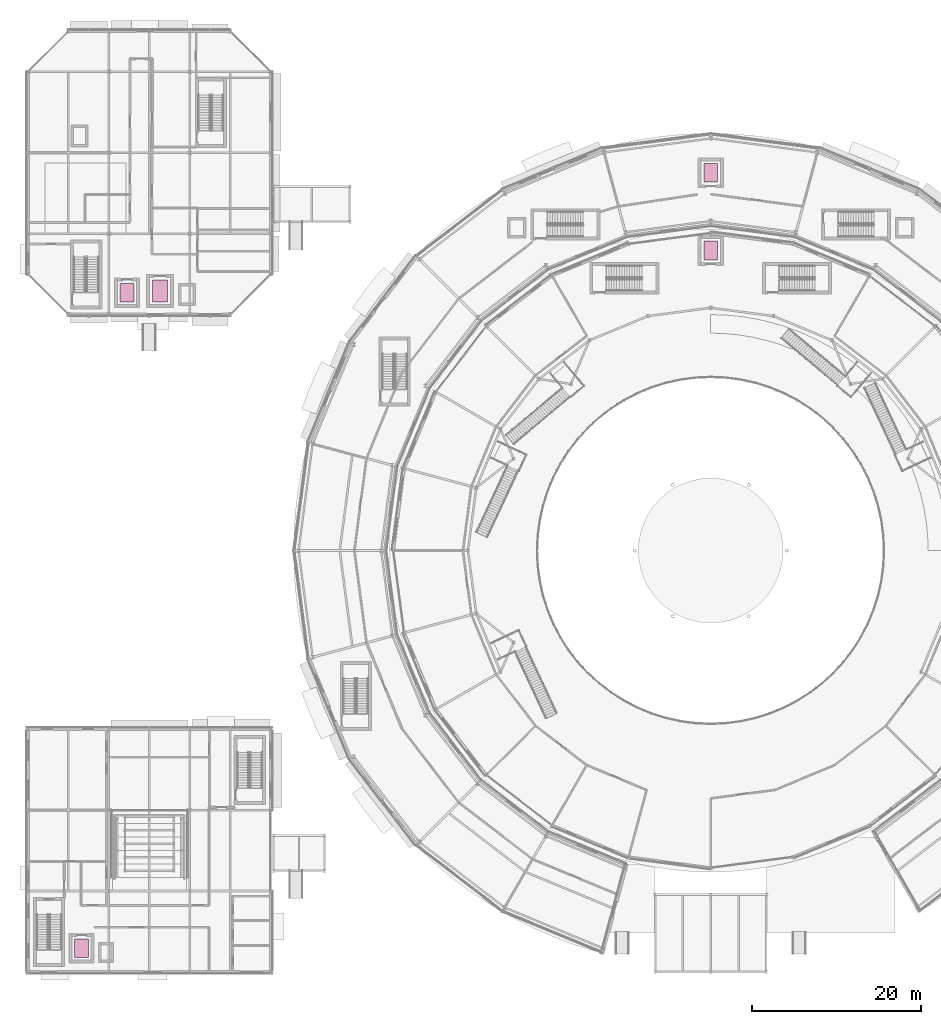
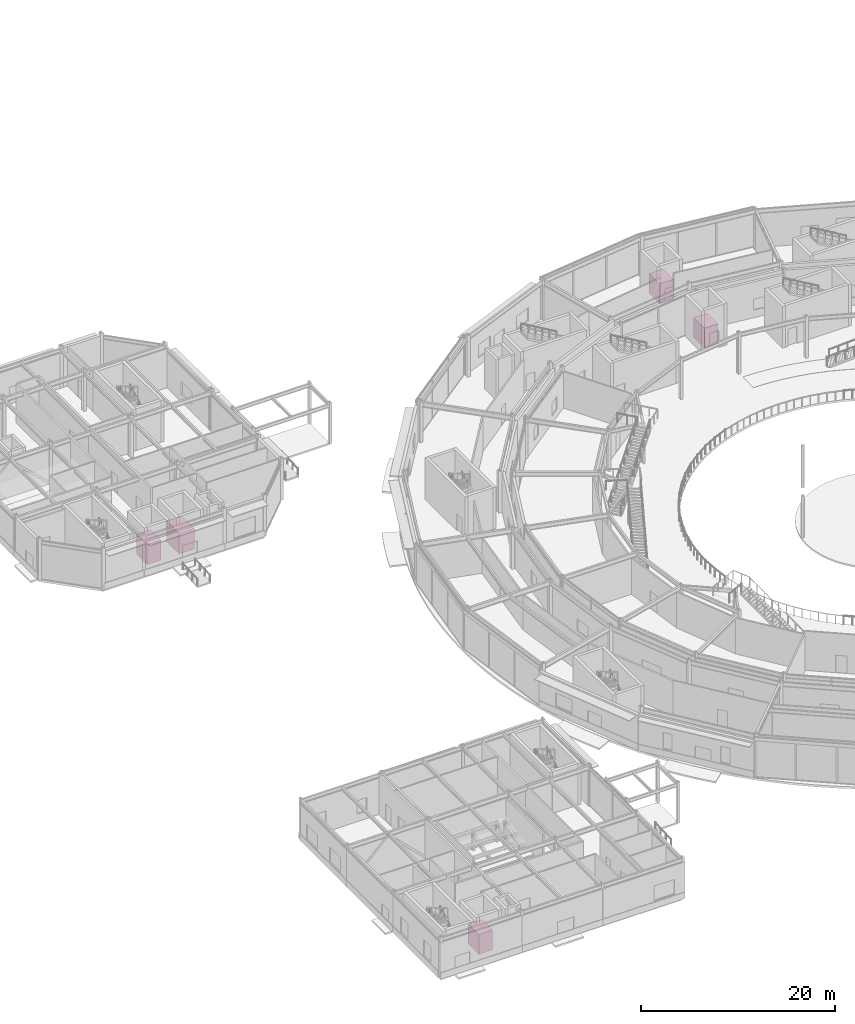
# One storey, part 168 of 168: 5 transport elements.
"""IFC4 building model written with IfcOpenShell, lengths in metres."""

from ifc_helpers import new_model, si_unit, direction, frame, origin, origin_2d, place, context, subcontext, project, spatial, rectangle, extrude, material, type_object, element, save


model = new_model("IFC4")

# Units and contexts
model_context = context("Model", 3, precision=1e-05, world=origin(), true_north=direction((0.0, 1.0)))
body_context = subcontext(model_context, "Body", "Model", "MODEL_VIEW")
ifc_project = project(units=[si_unit("LENGTHUNIT", "METRE"), si_unit("AREAUNIT", "SQUARE_METRE"), si_unit("VOLUMEUNIT", "CUBIC_METRE"), si_unit("PLANEANGLEUNIT", "RADIAN"), si_unit("MASSUNIT", "GRAM", prefix="KILO")], contexts=[model_context])

# Site, building, storey
site_placement = place(None, origin())
site = spatial("IfcSite", under=ifc_project, at=site_placement, CompositionType="ELEMENT")
building_placement = place(site_placement, origin())
building = spatial("IfcBuilding", under=site, at=building_placement, Name="Almandine Court Research Institute", CompositionType="ELEMENT")
storey_placement = place(building_placement, origin())
storey = spatial("IfcBuildingStorey", under=building, at=storey_placement, Name="L00", CompositionType="ELEMENT", Elevation=0.0)

# Transport elements
ifc_material_1 = material(Name="Heavy-Duty Chequer-Plate Goods Elevator Cab")
transport_element_type_1 = type_object("IfcTransportElementType", Name="Lift-GOOD-1800x2600", PredefinedType="ELEVATOR", material=ifc_material_1)
transport_element_placement = place(storey_placement, frame((21.64990234375, 86.800048828125, 0.0), z_axis=(0.0, 0.0, 1.0), x_axis=(1.0, 0.0, 0.0)))
element("IfcTransportElement", 1, at=transport_element_placement, inside=storey, type_object=transport_element_type_1, Name="Cleanroom Equipment Goods Lift GL-02", PredefinedType="ELEVATOR", context=body_context, shape_type="SweptSolid", body=[
    extrude(rectangle(XDim=1.800048828125, YDim=2.60009765625, at=origin_2d()), origin(), (0.0, 0.0, 1.0), 2.60009765625),
])
ifc_material_2 = material(Name="Brushed Stainless Steel Passenger Elevator Cab", Category="steel")
transport_element_type_2 = type_object("IfcTransportElementType", Name="Lift-PASS-1650x2200", PredefinedType="ELEVATOR", material=ifc_material_2)
for number, where, z_axis, x_axis, name in (
    (2, (12.35009765625, 8.800048828125, 0.0), (0.0, 0.0, 1.0), (1.0, 0.0, 0.0), "Lecture Pavilion Passenger Lift PL-01"),
    (3, (17.75, 86.60009765625, 0.0), (0.0, 0.0, 1.0), (1.0, 0.0, 0.0), "Cleanroom Pavilion Passenger Lift PL-02"),
    (4, (87.0, 91.60009765625, 0.0), (0.0, 0.0, 1.0), (1.0, 0.0, 0.0), "Interaction Atrium Passenger Lift PL-03"),
    (5, (87.0, 100.800048828125, 0.0), (0.0, 0.0, 1.0), (1.0, 0.0, 0.0), "Dry Laboratory Drum Passenger Lift PL-04"),
):
    element("IfcTransportElement", number, at=place(storey_placement, frame(where, z_axis=z_axis, x_axis=x_axis)), inside=storey, type_object=transport_element_type_2, Name=name, PredefinedType="ELEVATOR", context=body_context, shape_type="SweptSolid", body=[
        extrude(rectangle(XDim=1.64990234375, YDim=2.199951171875, at=origin_2d()), origin(), (0.0, 0.0, 1.0), 2.5),
    ])

save(model, "model.ifc")
